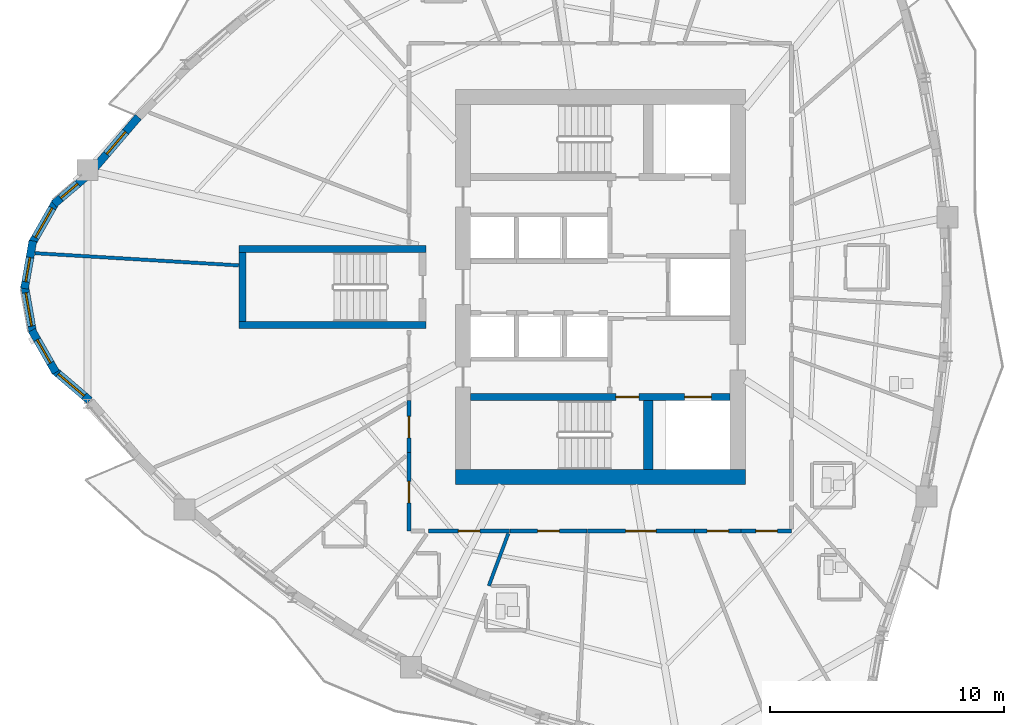
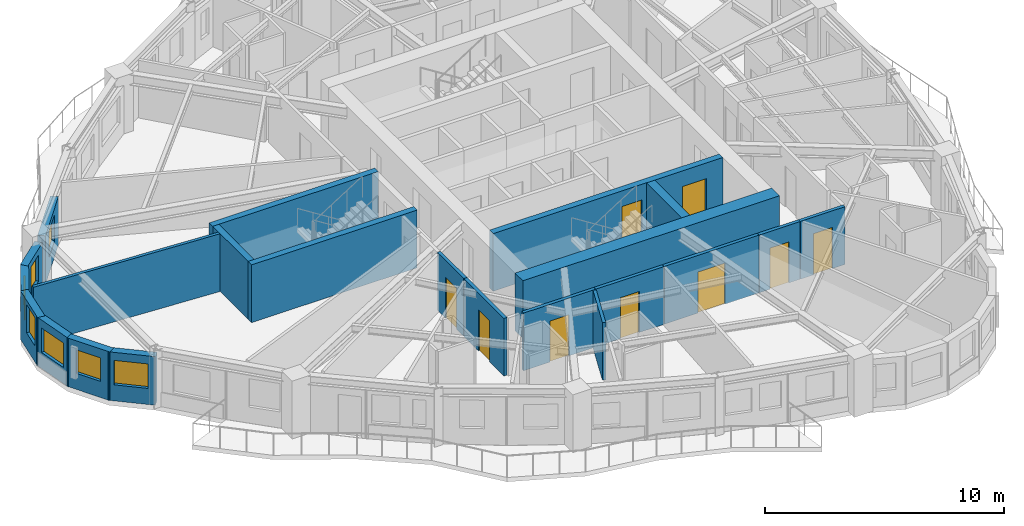
# One storey, part 4 of 13: 22 walls, 9 doors, 7 windows, 16 openings.
"""IFC4 building model written with IfcOpenShell, lengths in metres."""

from ifc_helpers import new_model, si_unit, direction, frame, frame_2d, origin, place, context, subcontext, project, spatial, rectangle, extrude, source, transform, mapped, material, layer, layer_set, type_object, element, fill, save


model = new_model("IFC4")

# Units and contexts
model_context = context("Model", 3, precision=1e-05, world=origin(), true_north=direction((0.0, 1.0)))
body_context = subcontext(model_context, "Body", "Model", "MODEL_VIEW")
ifc_project = project(units=[si_unit("LENGTHUNIT", "METRE"), si_unit("AREAUNIT", "SQUARE_METRE"), si_unit("VOLUMEUNIT", "CUBIC_METRE"), si_unit("PLANEANGLEUNIT", "RADIAN"), si_unit("MASSUNIT", "GRAM", prefix="KILO")], contexts=[model_context])

# Site, building, storey
site_placement = place(None, origin())
site = spatial("IfcSite", under=ifc_project, at=site_placement, CompositionType="ELEMENT")
building_placement = place(site_placement, origin())
building = spatial("IfcBuilding", under=site, at=building_placement, Name="Qafzar Sky-Pleat Residences", CompositionType="ELEMENT")
storey_placement = place(building_placement, frame((0.0, 0.0, 99.199951171875)))
storey = spatial("IfcBuildingStorey", under=building, at=storey_placement, Name="L29", CompositionType="ELEMENT", Elevation=99.199951171875)

# Wall, opening, door
ifc_material_1 = material(Name="Acoustic gypsum plasterboard partition", Category="gypsum")
ifc_layer_1 = layer(ifc_material_1, 0.159912109375)
ifc_layer_set_1 = layer_set([ifc_layer_1], Name="Acoustic gypsum plasterboard partition")
wall_type_1 = type_object("IfcWallType", Name="PART-COR-160", PredefinedType="PARTITIONING", material=ifc_layer_set_1)
wall_1_placement = place(storey_placement, frame((34.373046875, 15.570068359375, 0.0), z_axis=(0.0, 0.0, 1.0), x_axis=(-1.0, 0.0, 0.0)))
wall_1 = element("IfcWall", 1, at=wall_1_placement, inside=storey, type_object=wall_type_1, Name="L29 Partition Wall PART-L29-PW-004", PredefinedType="PARTITIONING", context=body_context, shape_type="SweptSolid", body=[
    extrude(rectangle(XDim=4.5771484375, YDim=0.159912109375, at=frame_2d((2.28857421875, 0.0))), origin(), (0.0, 0.0, 1.0), 2.949951171875),
])
opening_1_placement = place(wall_1_placement, frame((1.639404296875, 0.0, 0.0)))
opening_1 = element("IfcOpeningElement", 2, at=opening_1_placement, cuts=wall_1, Name="Opening ID-05", PredefinedType="OPENING", context=body_context, shape_type="SweptSolid", body=[
    extrude(rectangle(XDim=1.300048828125, YDim=2.10009765625, at=frame_2d((0.64990234375, 1.050048828125))), frame((0.0, 0.08984375, 0.0), z_axis=(0.0, -1.0, 0.0), x_axis=(1.0, 0.0, 0.0)), (0.0, 0.0, 1.0), 0.179931640625),
])
ifc_material_2 = material(Name="Timber-faced fire door", Category="wood")
door_type_1 = type_object("IfcDoorType", Name="DR-LNG-1300", OperationType="DOUBLE_DOOR_SINGLE_SWING", PredefinedType="DOOR", material=ifc_material_2)
shared_shape_1 = source(origin(), body_context, "Body", "SweptSolid", [
    extrude(rectangle(XDim=1.300048828125, YDim=2.10009765625, at=frame_2d((0.64990234375, 1.050048828125))), frame((0.0, 0.02490234375, 0.0), z_axis=(0.0, -1.0, 0.0), x_axis=(1.0, 0.0, 0.0)), (0.0, 0.0, 1.0), 0.050048828125),
])
door_1_placement = place(opening_1_placement, origin())
door_1 = element("IfcDoor", 3, at=door_1_placement, inside=storey, type_object=door_type_1, Name="L29 Co-Living Lounge Door", OperationType="DOUBLE_DOOR_SINGLE_SWING", OverallHeight=2.10009765625, OverallWidth=1.300048828125, PredefinedType="DOOR", context=body_context, shape_type="MappedRepresentation", body=[
    mapped(shared_shape_1, transform((0.0, 0.0, 0.0), x_axis=(1.0, 0.0, 0.0), y_axis=(0.0, 1.0, 0.0), z_axis=(0.0, 0.0, 1.0), scale=1.0)),
])
fill(opening_1, door_1)

wall_2_placement = place(storey_placement, frame((26.472900390625, 15.570068359375, 0.0), z_axis=(0.0, 0.0, 1.0), x_axis=(-1.0, 0.0, 0.0)))
wall_2 = element("IfcWall", 4, at=wall_2_placement, inside=storey, type_object=wall_type_1, Name="L29 Partition Wall PART-L29-PW-008", PredefinedType="PARTITIONING", context=body_context, shape_type="SweptSolid", body=[
    extrude(rectangle(XDim=3.469970703125, YDim=0.159912109375, at=frame_2d((1.73486328125, 0.0))), origin(), (0.0, 0.0, 1.0), 2.949951171875),
])
opening_2_placement = place(wall_2_placement, frame((1.27392578125, 0.0, 0.0)))
opening_2 = element("IfcOpeningElement", 5, at=opening_2_placement, cuts=wall_2, Name="Opening ID-04", PredefinedType="OPENING", context=body_context, shape_type="SweptSolid", body=[
    extrude(rectangle(XDim=0.919921875, YDim=2.10009765625, at=frame_2d((0.4599609375, 1.050048828125))), frame((0.0, 0.08984375, 0.0), z_axis=(0.0, -1.0, 0.0), x_axis=(1.0, 0.0, 0.0)), (0.0, 0.0, 1.0), 0.179931640625),
])
door_type_2 = type_object("IfcDoorType", Name="DR-BED-920", OperationType="NOTDEFINED", PredefinedType="DOOR", material=ifc_material_2)
shared_shape_2 = source(origin(), body_context, "Body", "SweptSolid", [
    extrude(rectangle(XDim=0.919921875, YDim=2.10009765625, at=frame_2d((0.4599609375, 1.050048828125))), frame((0.0, 0.02490234375, 0.0), z_axis=(0.0, -1.0, 0.0), x_axis=(1.0, 0.0, 0.0)), (0.0, 0.0, 1.0), 0.050048828125),
])
door_2_placement = place(opening_2_placement, origin())
door_2 = element("IfcDoor", 6, at=door_2_placement, inside=storey, type_object=door_type_2, Name="L29 Co-Living Bedroom 14 Door", OperationType="SINGLE_SWING_LEFT", OverallHeight=2.10009765625, OverallWidth=0.919921875, PredefinedType="DOOR", context=body_context, shape_type="MappedRepresentation", body=[
    mapped(shared_shape_2, transform((0.0, 0.0, 0.0), x_axis=(1.0, 0.0, 0.0), y_axis=(0.0, 1.0, 0.0), z_axis=(0.0, 0.0, 1.0), scale=1.0)),
])
fill(opening_2, door_2)

wall_3_placement = place(storey_placement, frame((22.169921875, 15.570068359375, 0.0), z_axis=(0.0, 0.0, 1.0), x_axis=(0.0, 1.0, 0.0)))
wall_3 = element("IfcWall", 7, at=wall_3_placement, inside=storey, type_object=wall_type_1, Name="L29 Partition Wall PART-L29-PW-009", PredefinedType="PARTITIONING", context=body_context, shape_type="SweptSolid", body=[
    extrude(rectangle(XDim=3.345947265625, YDim=0.159912109375, at=frame_2d((1.6728515625, 0.0))), origin(), (0.0, 0.0, 1.0), 2.949951171875),
])
opening_3_placement = place(wall_3_placement, frame((1.202880859375, 0.0, 0.0)))
opening_3 = element("IfcOpeningElement", 8, at=opening_3_placement, cuts=wall_3, Name="Opening ID-04", PredefinedType="OPENING", context=body_context, shape_type="SweptSolid", body=[
    extrude(rectangle(XDim=0.919921875, YDim=2.10009765625, at=frame_2d((0.4599609375, 1.050048828125))), frame((0.0, 0.08984375, 0.0), z_axis=(0.0, -1.0, 0.0), x_axis=(1.0, 0.0, 0.0)), (0.0, 0.0, 1.0), 0.179931640625),
])
door_3_placement = place(opening_3_placement, origin())
door_3 = element("IfcDoor", 9, at=door_3_placement, inside=storey, type_object=door_type_2, Name="L29 Co-Living Bedroom 13 Door", OperationType="SINGLE_SWING_RIGHT", OverallHeight=2.10009765625, OverallWidth=0.919921875, PredefinedType="DOOR", context=body_context, shape_type="MappedRepresentation", body=[
    mapped(shared_shape_2, transform((0.0, 0.0, 0.0), x_axis=(1.0, 0.0, 0.0), y_axis=(0.0, 1.0, 0.0), z_axis=(0.0, 0.0, 1.0), scale=1.0)),
])
fill(opening_3, door_3)

wall_4_placement = place(storey_placement, frame((29.781005859375, 15.570068359375, 0.0), z_axis=(0.0, 0.0, 1.0), x_axis=(-1.0, 0.0, 0.0)))
wall_4 = element("IfcWall", 10, at=wall_4_placement, inside=storey, type_object=wall_type_1, Name="L29 Partition Wall PART-L29-PW-010", PredefinedType="PARTITIONING", context=body_context, shape_type="SweptSolid", body=[
    extrude(rectangle(XDim=3.29296875, YDim=0.159912109375, at=frame_2d((1.646484375, 0.0))), origin(), (0.0, 0.0, 1.0), 2.949951171875),
])
opening_4_placement = place(wall_4_placement, frame((1.18701171875, 0.0, 0.0)))
opening_4 = element("IfcOpeningElement", 11, at=opening_4_placement, cuts=wall_4, Name="Opening ID-04", PredefinedType="OPENING", context=body_context, shape_type="SweptSolid", body=[
    extrude(rectangle(XDim=0.919921875, YDim=2.10009765625, at=frame_2d((0.4599609375, 1.050048828125))), frame((0.0, 0.08984375, 0.0), z_axis=(0.0, -1.0, 0.0), x_axis=(1.0, 0.0, 0.0)), (0.0, 0.0, 1.0), 0.179931640625),
])
door_4_placement = place(opening_4_placement, origin())
door_4 = element("IfcDoor", 12, at=door_4_placement, inside=storey, type_object=door_type_2, Name="L29 Co-Living Bedroom 1 Door", OperationType="SINGLE_SWING_LEFT", OverallHeight=2.10009765625, OverallWidth=0.919921875, PredefinedType="DOOR", context=body_context, shape_type="MappedRepresentation", body=[
    mapped(shared_shape_2, transform((0.0, 0.0, 0.0), x_axis=(1.0, 0.0, 0.0), y_axis=(0.0, 1.0, 0.0), z_axis=(0.0, 0.0, 1.0), scale=1.0)),
])
fill(opening_4, door_4)

wall_5_placement = place(storey_placement, frame((22.169921875, 18.930908203125, 0.0), z_axis=(0.0, 0.0, 1.0), x_axis=(0.0, 1.0, 0.0)))
wall_5 = element("IfcWall", 13, at=wall_5_placement, inside=storey, type_object=wall_type_1, Name="L29 Partition Wall PART-L29-PW-012", PredefinedType="PARTITIONING", context=body_context, shape_type="SweptSolid", body=[
    extrude(rectangle(XDim=2.210205078125, YDim=0.159912109375, at=frame_2d((1.10498046875, 0.0))), origin(), (0.0, 0.0, 1.0), 2.949951171875),
])
opening_5_placement = place(wall_5_placement, frame((0.618896484375, 0.0, 0.0)))
opening_5 = element("IfcOpeningElement", 14, at=opening_5_placement, cuts=wall_5, Name="Opening ID-04", PredefinedType="OPENING", context=body_context, shape_type="SweptSolid", body=[
    extrude(rectangle(XDim=0.919921875, YDim=2.10009765625, at=frame_2d((0.4599609375, 1.050048828125))), frame((0.0, 0.08984375, 0.0), z_axis=(0.0, -1.0, 0.0), x_axis=(1.0, 0.0, 0.0)), (0.0, 0.0, 1.0), 0.179931640625),
])
door_5_placement = place(opening_5_placement, origin())
door_5 = element("IfcDoor", 15, at=door_5_placement, inside=storey, type_object=door_type_2, Name="L29 Co-Living Bedroom 12 Door", OperationType="SINGLE_SWING_LEFT", OverallHeight=2.10009765625, OverallWidth=0.919921875, PredefinedType="DOOR", context=body_context, shape_type="MappedRepresentation", body=[
    mapped(shared_shape_2, transform((0.0, 0.0, 0.0), x_axis=(1.0, 0.0, 0.0), y_axis=(0.0, 1.0, 0.0), z_axis=(0.0, 0.0, 1.0), scale=1.0)),
])
fill(opening_5, door_5)

wall_6_placement = place(storey_placement, frame((38.530029296875, 15.570068359375, 0.0), z_axis=(0.0, 0.0, 1.0), x_axis=(-1.0, 0.0, 0.0)))
wall_6 = element("IfcWall", 16, at=wall_6_placement, inside=storey, type_object=wall_type_1, Name="L29 Partition Wall PART-L29-PW-013", PredefinedType="PARTITIONING", context=body_context, shape_type="SweptSolid", body=[
    extrude(rectangle(XDim=2.156005859375, YDim=0.159912109375, at=frame_2d((1.078125, 0.0))), origin(), (0.0, 0.0, 1.0), 2.949951171875),
])
opening_6_placement = place(wall_6_placement, frame((0.60888671875, 0.0, 0.0)))
opening_6 = element("IfcOpeningElement", 17, at=opening_6_placement, cuts=wall_6, Name="Opening ID-04", PredefinedType="OPENING", context=body_context, shape_type="SweptSolid", body=[
    extrude(rectangle(XDim=0.919921875, YDim=2.10009765625, at=frame_2d((0.4599609375, 1.050048828125))), frame((0.0, 0.08984375, 0.0), z_axis=(0.0, -1.0, 0.0), x_axis=(1.0, 0.0, 0.0)), (0.0, 0.0, 1.0), 0.179931640625),
])
door_6_placement = place(opening_6_placement, origin())
door_6 = element("IfcDoor", 18, at=door_6_placement, inside=storey, type_object=door_type_2, Name="L29 Co-Living Bedroom 3 Door", OperationType="SINGLE_SWING_RIGHT", OverallHeight=2.10009765625, OverallWidth=0.919921875, PredefinedType="DOOR", context=body_context, shape_type="MappedRepresentation", body=[
    mapped(shared_shape_2, transform((0.0, 0.0, 0.0), x_axis=(1.0, 0.0, 0.0), y_axis=(0.0, 1.0, 0.0), z_axis=(0.0, 0.0, 1.0), scale=1.0)),
])
fill(opening_6, door_6)

wall_7_placement = place(storey_placement, frame((36.35888671875, 15.570068359375, 0.0), z_axis=(0.0, 0.0, 1.0), x_axis=(-1.0, 0.0, 0.0)))
wall_7 = element("IfcWall", 19, at=wall_7_placement, inside=storey, type_object=wall_type_1, Name="L29 Partition Wall PART-L29-PW-015", PredefinedType="PARTITIONING", context=body_context, shape_type="SweptSolid", body=[
    extrude(rectangle(XDim=1.970947265625, YDim=0.159912109375, at=frame_2d((0.9853515625, 0.0))), origin(), (0.0, 0.0, 1.0), 2.949951171875),
])
opening_7_placement = place(wall_7_placement, frame((0.52490234375, 0.0, 0.0)))
opening_7 = element("IfcOpeningElement", 20, at=opening_7_placement, cuts=wall_7, Name="Opening ID-04", PredefinedType="OPENING", context=body_context, shape_type="SweptSolid", body=[
    extrude(rectangle(XDim=0.919921875, YDim=2.10009765625, at=frame_2d((0.4599609375, 1.050048828125))), frame((0.0, 0.08984375, 0.0), z_axis=(0.0, -1.0, 0.0), x_axis=(1.0, 0.0, 0.0)), (0.0, 0.0, 1.0), 0.179931640625),
])
door_7_placement = place(opening_7_placement, origin())
door_7 = element("IfcDoor", 21, at=door_7_placement, inside=storey, type_object=door_type_2, Name="L29 Co-Living Bedroom 2 Door", OperationType="SINGLE_SWING_RIGHT", OverallHeight=2.10009765625, OverallWidth=0.919921875, PredefinedType="DOOR", context=body_context, shape_type="MappedRepresentation", body=[
    mapped(shared_shape_2, transform((0.0, 0.0, 0.0), x_axis=(1.0, 0.0, 0.0), y_axis=(0.0, 1.0, 0.0), z_axis=(0.0, 0.0, 1.0), scale=1.0)),
])
fill(opening_7, door_7)

# Walls
ifc_layer_2 = layer(ifc_material_1, 0.14501953125)
ifc_layer_set_2 = layer_set([ifc_layer_2], Name="Acoustic gypsum plasterboard partition")
wall_type_2 = type_object("IfcWallType", Name="PART-UNIT-145", PredefinedType="PARTITIONING", material=ifc_layer_set_2)
wall_8_placement = place(storey_placement, frame((6.1796875, 27.447509765625, 0.0), z_axis=(0.0, 0.0, 1.0), x_axis=(0.998209995059, -0.059806402362, 0.0)))
element("IfcWall", 22, at=wall_8_placement, inside=storey, type_object=wall_type_2, Name="L29 Partition Wall PART-L29-PW-038", PredefinedType="PARTITIONING", context=body_context, shape_type="SweptSolid", body=[
    extrude(rectangle(XDim=8.7236328125, YDim=0.14501953125, at=frame_2d((4.36181640625, 0.0))), origin(), (0.0, 0.0, 1.0), 2.949951171875),
])
wall_9_placement = place(storey_placement, frame((25.5810546875, 13.222900390625, 0.0), z_axis=(0.0, 0.0, 1.0), x_axis=(0.349597225683, 0.936900090615, 0.0)))
element("IfcWall", 23, at=wall_9_placement, inside=storey, type_object=wall_type_2, Name="L29 Partition Wall PART-L29-PW-055", PredefinedType="PARTITIONING", context=body_context, shape_type="SweptSolid", body=[
    extrude(rectangle(XDim=2.384765625, YDim=0.14501953125, at=frame_2d((1.1923828125, 0.0))), origin(), (0.0, 0.0, 1.0), 2.949951171875),
])

# Wall, opening, window
ifc_material_3 = material(Name="Precast concrete C40/50 with honed Riyadh limestone", Category="concrete")
ifc_layer_3 = layer(ifc_material_3, 0.340087890625)
ifc_layer_set_3 = layer_set([ifc_layer_3], Name="Precast concrete C40/50 with honed Riyadh limestone")
wall_type_3 = type_object("IfcWallType", Name="WALL-EXT-340", PredefinedType="SOLIDWALL", material=ifc_layer_set_3)
wall_10_placement = place(storey_placement, frame((8.354736328125, 30.7177734375, 0.0), z_axis=(0.0, 0.0, 1.0), x_axis=(-0.761134405886, -0.648594184507, 0.0)))
wall_10 = element("IfcWall", 24, at=wall_10_placement, inside=storey, type_object=wall_type_3, Name="L29 Limestone Facade Wall 1", PredefinedType="SOLIDWALL", context=body_context, shape_type="SweptSolid", body=[
    extrude(rectangle(XDim=1.804931640625, YDim=0.340087890625, at=frame_2d((0.90234375, 0.0))), origin(), (0.0, 0.0, 1.0), 2.47998046875),
])
opening_8_placement = place(wall_10_placement, frame((0.46240234375, 0.0, 0.820068359375)))
opening_8 = element("IfcOpeningElement", 25, at=opening_8_placement, cuts=wall_10, Name="Opening WN-12", PredefinedType="OPENING", context=body_context, shape_type="SweptSolid", body=[
    extrude(rectangle(XDim=0.949951171875, YDim=1.35009765625, at=frame_2d((0.47509765625, 0.675048828125))), frame((0.0, 0.18017578125, 0.0), z_axis=(0.0, -1.0, 0.0), x_axis=(1.0, 0.0, 0.0)), (0.0, 0.0, 1.0), 0.360107421875),
])
ifc_material_4 = material(Name="Solar-control low-E glass in bronze aluminium frame", Category="glass")
window_type_1 = type_object("IfcWindowType", Name="WIN-12", PartitioningType="SINGLE_PANEL", PredefinedType="WINDOW", material=ifc_material_4)
shared_shape_3 = source(origin(), body_context, "Body", "SweptSolid", [
    extrude(rectangle(XDim=0.949951171875, YDim=1.35009765625, at=frame_2d((0.47509765625, 0.675048828125))), frame((0.0, 0.030029296875, 0.0), z_axis=(0.0, -1.0, 0.0), x_axis=(1.0, 0.0, 0.0)), (0.0, 0.0, 1.0), 0.06005859375),
])
window_1_placement = place(opening_8_placement, origin())
window_1 = element("IfcWindow", 26, at=window_1_placement, inside=storey, type_object=window_type_1, Name="L29 Punched Facade Window 01", OverallHeight=1.35009765625, OverallWidth=0.949951171875, PartitioningType="SINGLE_PANEL", PredefinedType="WINDOW", context=body_context, shape_type="MappedRepresentation", body=[
    mapped(shared_shape_3, transform((0.0, 0.0, 0.0), x_axis=(1.0, 0.0, 0.0), y_axis=(0.0, 1.0, 0.0), z_axis=(0.0, 0.0, 1.0), scale=1.0)),
])
fill(opening_8, window_1)

wall_11_placement = place(storey_placement, frame((7.066162109375, 29.64990234375, 0.0), z_axis=(0.0, 0.0, 1.0), x_axis=(-0.496037473582, -0.868301114132, 0.0)))
wall_11 = element("IfcWall", 27, at=wall_11_placement, inside=storey, type_object=wall_type_3, Name="L29 Limestone Facade Wall 2", PredefinedType="SOLIDWALL", context=body_context, shape_type="SweptSolid", body=[
    extrude(rectangle(XDim=2.072998046875, YDim=0.340087890625, at=frame_2d((1.03662109375, 0.0))), origin(), (0.0, 0.0, 1.0), 2.47998046875),
])
opening_9_placement = place(wall_11_placement, frame((0.3115234375, 0.0, 0.820068359375)))
opening_9 = element("IfcOpeningElement", 28, at=opening_9_placement, cuts=wall_11, Name="Opening WN-15", PredefinedType="OPENING", context=body_context, shape_type="SweptSolid", body=[
    extrude(rectangle(XDim=1.449951171875, YDim=1.25, at=frame_2d((0.72509765625, 0.625))), frame((0.0, 0.18017578125, 0.0), z_axis=(0.0, -1.0, 0.0), x_axis=(1.0, 0.0, 0.0)), (0.0, 0.0, 1.0), 0.360107421875),
])
window_type_2 = type_object("IfcWindowType", Name="WIN-15", PartitioningType="SINGLE_PANEL", PredefinedType="WINDOW", material=ifc_material_4)
shared_shape_4 = source(origin(), body_context, "Body", "SweptSolid", [
    extrude(rectangle(XDim=1.449951171875, YDim=1.25, at=frame_2d((0.72509765625, 0.625))), frame((0.0, 0.030029296875, 0.0), z_axis=(0.0, -1.0, 0.0), x_axis=(1.0, 0.0, 0.0)), (0.0, 0.0, 1.0), 0.06005859375),
])
window_2_placement = place(opening_9_placement, origin())
window_2 = element("IfcWindow", 29, at=window_2_placement, inside=storey, type_object=window_type_2, Name="L29 Punched Facade Window 02", OverallHeight=1.25, OverallWidth=1.449951171875, PartitioningType="SINGLE_PANEL", PredefinedType="WINDOW", context=body_context, shape_type="MappedRepresentation", body=[
    mapped(shared_shape_4, transform((0.0, 0.0, 0.0), x_axis=(1.0, 0.0, 0.0), y_axis=(0.0, 1.0, 0.0), z_axis=(0.0, 0.0, 1.0), scale=1.0)),
])
fill(opening_9, window_2)

wall_12_placement = place(storey_placement, frame((6.0830078125, 27.975341796875, 0.0), z_axis=(0.0, 0.0, 1.0), x_axis=(-0.172186061474, -0.985064444711, 0.0)))
wall_12 = element("IfcWall", 30, at=wall_12_placement, inside=storey, type_object=wall_type_3, Name="L29 Limestone Facade Wall 3", PredefinedType="SOLIDWALL", context=body_context, shape_type="SweptSolid", body=[
    extrude(rectangle(XDim=2.072998046875, YDim=0.340087890625, at=frame_2d((1.03662109375, 0.0))), origin(), (0.0, 0.0, 1.0), 2.47998046875),
])
opening_10_placement = place(wall_12_placement, frame((0.724609375, 0.0, 0.820068359375)))
opening_10 = element("IfcOpeningElement", 31, at=opening_10_placement, cuts=wall_12, Name="Opening WN-06", PredefinedType="OPENING", context=body_context, shape_type="SweptSolid", body=[
    extrude(rectangle(XDim=1.050048828125, YDim=1.449951171875, at=frame_2d((0.52490234375, 0.72509765625))), frame((0.0, 0.18017578125, 0.0), z_axis=(0.0, -1.0, 0.0), x_axis=(1.0, 0.0, 0.0)), (0.0, 0.0, 1.0), 0.360107421875),
])
window_type_3 = type_object("IfcWindowType", Name="WIN-06", PartitioningType="SINGLE_PANEL", PredefinedType="WINDOW", material=ifc_material_4)
shared_shape_5 = source(origin(), body_context, "Body", "SweptSolid", [
    extrude(rectangle(XDim=1.050048828125, YDim=1.449951171875, at=frame_2d((0.52490234375, 0.72509765625))), frame((0.0, 0.030029296875, 0.0), z_axis=(0.0, -1.0, 0.0), x_axis=(1.0, 0.0, 0.0)), (0.0, 0.0, 1.0), 0.06005859375),
])
window_3_placement = place(opening_10_placement, origin())
window_3 = element("IfcWindow", 32, at=window_3_placement, inside=storey, type_object=window_type_3, Name="L29 Punched Facade Window 03-2", OverallHeight=1.449951171875, OverallWidth=1.050048828125, PartitioningType="SINGLE_PANEL", PredefinedType="WINDOW", context=body_context, shape_type="MappedRepresentation", body=[
    mapped(shared_shape_5, transform((0.0, 0.0, 0.0), x_axis=(1.0, 0.0, 0.0), y_axis=(0.0, 1.0, 0.0), z_axis=(0.0, 0.0, 1.0), scale=1.0)),
])
fill(opening_10, window_3)

wall_13_placement = place(storey_placement, frame((5.72607421875, 26.066650390625, 0.0), z_axis=(0.0, 0.0, 1.0), x_axis=(0.172186061474, -0.985064444711, 0.0)))
wall_13 = element("IfcWall", 33, at=wall_13_placement, inside=storey, type_object=wall_type_3, Name="L29 Limestone Facade Wall 4", PredefinedType="SOLIDWALL", context=body_context, shape_type="SweptSolid", body=[
    extrude(rectangle(XDim=2.072998046875, YDim=0.340087890625, at=frame_2d((1.03662109375, 0.0))), origin(), (0.0, 0.0, 1.0), 2.47998046875),
])
opening_11_placement = place(wall_13_placement, frame((0.3115234375, 0.0, 0.820068359375)))
opening_11 = element("IfcOpeningElement", 34, at=opening_11_placement, cuts=wall_13, Name="Opening WN-15", PredefinedType="OPENING", context=body_context, shape_type="SweptSolid", body=[
    extrude(rectangle(XDim=1.449951171875, YDim=1.25, at=frame_2d((0.72509765625, 0.625))), frame((0.0, 0.18017578125, 0.0), z_axis=(0.0, -1.0, 0.0), x_axis=(1.0, 0.0, 0.0)), (0.0, 0.0, 1.0), 0.360107421875),
])
window_4_placement = place(opening_11_placement, origin())
window_4 = element("IfcWindow", 35, at=window_4_placement, inside=storey, type_object=window_type_2, Name="L29 Punched Facade Window 04", OverallHeight=1.25, OverallWidth=1.449951171875, PartitioningType="SINGLE_PANEL", PredefinedType="WINDOW", context=body_context, shape_type="MappedRepresentation", body=[
    mapped(shared_shape_4, transform((0.0, 0.0, 0.0), x_axis=(1.0, 0.0, 0.0), y_axis=(0.0, 1.0, 0.0), z_axis=(0.0, 0.0, 1.0), scale=1.0)),
])
fill(opening_11, window_4)

wall_14_placement = place(storey_placement, frame((6.037841796875, 24.150146484375, 0.0), z_axis=(0.0, 0.0, 1.0), x_axis=(0.496037473582, -0.868301114132, 0.0)))
wall_14 = element("IfcWall", 36, at=wall_14_placement, inside=storey, type_object=wall_type_3, Name="L29 Limestone Facade Wall 5", PredefinedType="SOLIDWALL", context=body_context, shape_type="SweptSolid", body=[
    extrude(rectangle(XDim=2.072998046875, YDim=0.340087890625, at=frame_2d((1.03662109375, 0.0))), origin(), (0.0, 0.0, 1.0), 2.47998046875),
])
opening_12_placement = place(wall_14_placement, frame((0.46142578125, 0.0, 0.820068359375)))
opening_12 = element("IfcOpeningElement", 37, at=opening_12_placement, cuts=wall_14, Name="Opening WN-16", PredefinedType="OPENING", context=body_context, shape_type="SweptSolid", body=[
    extrude(rectangle(XDim=1.14990234375, YDim=1.199951171875, at=frame_2d((0.574951171875, 0.60009765625))), frame((0.0, 0.18017578125, 0.0), z_axis=(0.0, -1.0, 0.0), x_axis=(1.0, 0.0, 0.0)), (0.0, 0.0, 1.0), 0.360107421875),
])
window_type_4 = type_object("IfcWindowType", Name="WIN-16", PartitioningType="SINGLE_PANEL", PredefinedType="WINDOW", material=ifc_material_4)
shared_shape_6 = source(origin(), body_context, "Body", "SweptSolid", [
    extrude(rectangle(XDim=1.14990234375, YDim=1.199951171875, at=frame_2d((0.574951171875, 0.60009765625))), frame((0.0, 0.030029296875, 0.0), z_axis=(0.0, -1.0, 0.0), x_axis=(1.0, 0.0, 0.0)), (0.0, 0.0, 1.0), 0.06005859375),
])
window_5_placement = place(opening_12_placement, origin())
window_5 = element("IfcWindow", 38, at=window_5_placement, inside=storey, type_object=window_type_4, Name="L29 Punched Facade Window 05", OverallHeight=1.199951171875, OverallWidth=1.14990234375, PartitioningType="SINGLE_PANEL", PredefinedType="WINDOW", context=body_context, shape_type="MappedRepresentation", body=[
    mapped(shared_shape_6, transform((0.0, 0.0, 0.0), x_axis=(1.0, 0.0, 0.0), y_axis=(0.0, 1.0, 0.0), z_axis=(0.0, 0.0, 1.0), scale=1.0)),
])
fill(opening_12, window_5)

wall_15_placement = place(storey_placement, frame((6.98095703125, 22.452880859375, 0.0), z_axis=(0.0, 0.0, 1.0), x_axis=(0.761092561451, -0.648643286332, 0.0)))
wall_15 = element("IfcWall", 39, at=wall_15_placement, inside=storey, type_object=wall_type_3, Name="L29 Limestone Facade Wall 6", PredefinedType="SOLIDWALL", context=body_context, shape_type="SweptSolid", body=[
    extrude(rectangle(XDim=2.014892578125, YDim=0.340087890625, at=frame_2d((1.00732421875, 0.0))), origin(), (0.0, 0.0, 1.0), 2.47998046875),
])
opening_13_placement = place(wall_15_placement, frame((0.25244140625, 0.0, 0.820068359375)))
opening_13 = element("IfcOpeningElement", 40, at=opening_13_placement, cuts=wall_15, Name="Opening WN-15", PredefinedType="OPENING", context=body_context, shape_type="SweptSolid", body=[
    extrude(rectangle(XDim=1.449951171875, YDim=1.25, at=frame_2d((0.72509765625, 0.625))), frame((0.0, 0.18017578125, 0.0), z_axis=(0.0, -1.0, 0.0), x_axis=(1.0, 0.0, 0.0)), (0.0, 0.0, 1.0), 0.360107421875),
])
window_6_placement = place(opening_13_placement, origin())
window_6 = element("IfcWindow", 41, at=window_6_placement, inside=storey, type_object=window_type_2, Name="L29 Punched Facade Window 06", OverallHeight=1.25, OverallWidth=1.449951171875, PartitioningType="SINGLE_PANEL", PredefinedType="WINDOW", context=body_context, shape_type="MappedRepresentation", body=[
    mapped(shared_shape_4, transform((0.0, 0.0, 0.0), x_axis=(1.0, 0.0, 0.0), y_axis=(0.0, 1.0, 0.0), z_axis=(0.0, 0.0, 1.0), scale=1.0)),
])
fill(opening_13, window_6)

wall_16_placement = place(storey_placement, frame((10.59423828125, 33.2724609375, 0.0), z_axis=(0.0, 0.0, 1.0), x_axis=(-0.650763769467, -0.759280262057, 0.0)))
wall_16 = element("IfcWall", 42, at=wall_16_placement, inside=storey, type_object=wall_type_3, Name="L29 Limestone Facade Wall 48", PredefinedType="SOLIDWALL", context=body_context, shape_type="SweptSolid", body=[
    extrude(rectangle(XDim=2.91357421875, YDim=0.340087890625, at=frame_2d((1.456787109375, 0.0))), origin(), (0.0, 0.0, 1.0), 2.47998046875),
])
opening_14_placement = place(wall_16_placement, frame((0.8369140625, 0.0, 0.820068359375)))
opening_14 = element("IfcOpeningElement", 43, at=opening_14_placement, cuts=wall_16, Name="Opening WN-11", PredefinedType="OPENING", context=body_context, shape_type="SweptSolid", body=[
    extrude(rectangle(XDim=1.25, YDim=1.35009765625, at=frame_2d((0.625, 0.675048828125))), frame((0.0, 0.18017578125, 0.0), z_axis=(0.0, -1.0, 0.0), x_axis=(1.0, 0.0, 0.0)), (0.0, 0.0, 1.0), 0.360107421875),
])
window_type_5 = type_object("IfcWindowType", Name="WIN-11", PartitioningType="SINGLE_PANEL", PredefinedType="WINDOW", material=ifc_material_4)
shared_shape_7 = source(origin(), body_context, "Body", "SweptSolid", [
    extrude(rectangle(XDim=1.25, YDim=1.35009765625, at=frame_2d((0.625, 0.675048828125))), frame((0.0, 0.030029296875, 0.0), z_axis=(0.0, -1.0, 0.0), x_axis=(1.0, 0.0, 0.0)), (0.0, 0.0, 1.0), 0.06005859375),
])
window_7_placement = place(opening_14_placement, origin())
window_7 = element("IfcWindow", 44, at=window_7_placement, inside=storey, type_object=window_type_5, Name="L29 Punched Facade Window 48", OverallHeight=1.35009765625, OverallWidth=1.25, PartitioningType="SINGLE_PANEL", PredefinedType="WINDOW", context=body_context, shape_type="MappedRepresentation", body=[
    mapped(shared_shape_7, transform((0.0, 0.0, 0.0), x_axis=(1.0, 0.0, 0.0), y_axis=(0.0, 1.0, 0.0), z_axis=(0.0, 0.0, 1.0), scale=1.0)),
])
fill(opening_14, window_7)

# Wall, openings, doors
ifc_material_5 = material(Name="Concrete C60/75", Category="concrete")
ifc_layer_4 = layer(ifc_material_5, 0.300048828125)
ifc_layer_set_4 = layer_set([ifc_layer_4], Name="Concrete C60/75")
wall_type_4 = type_object("IfcWallType", Name="WALL-SHEAR-300", PredefinedType="SHEAR", material=ifc_layer_set_4)
wall_17_placement = place(storey_placement, frame((24.800048828125, 21.300048828125, 0.0), z_axis=(0.0, 0.0, 1.0), x_axis=(1.0, 0.0, 0.0)))
wall_17 = element("IfcWall", 45, at=wall_17_placement, inside=storey, type_object=wall_type_4, Name="L29 Stair ST1 and FF1 Shaft North Wall", PredefinedType="SHEAR", context=body_context, shape_type="SweptSolid", body=[
    extrude(rectangle(XDim=11.099853515625, YDim=0.300048828125, at=frame_2d((5.5498046875, 0.0))), origin(), (0.0, 0.0, 1.0), 2.949951171875),
])
opening_15_placement = place(wall_17_placement, frame((6.219970703125, 0.0, 0.0)))
opening_15 = element("IfcOpeningElement", 46, at=opening_15_placement, cuts=wall_17, Name="Opening ID-01", PredefinedType="OPENING", context=body_context, shape_type="SweptSolid", body=[
    extrude(rectangle(XDim=0.97998046875, YDim=2.14990234375, at=frame_2d((0.489990234375, 1.074951171875))), frame((0.0, 0.16015625, 0.0), z_axis=(0.0, -1.0, 0.0), x_axis=(1.0, 0.0, 0.0)), (0.0, 0.0, 1.0), 0.320068359375),
])
opening_16_placement = place(wall_17_placement, frame((9.14990234375, 0.0, 0.0)))
opening_16 = element("IfcOpeningElement", 47, at=opening_16_placement, cuts=wall_17, Name="Opening LD-02", PredefinedType="OPENING", context=body_context, shape_type="SweptSolid", body=[
    extrude(rectangle(XDim=1.14990234375, YDim=2.14990234375, at=frame_2d((0.574951171875, 1.074951171875))), frame((0.0, 0.16015625, 0.0), z_axis=(0.0, -1.0, 0.0), x_axis=(1.0, 0.0, 0.0)), (0.0, 0.0, 1.0), 0.320068359375),
])
door_type_3 = type_object("IfcDoorType", Name="DR-STAIR-980", OperationType="NOTDEFINED", PredefinedType="DOOR", material=ifc_material_2)
shared_shape_8 = source(origin(), body_context, "Body", "SweptSolid", [
    extrude(rectangle(XDim=0.97998046875, YDim=2.14990234375, at=frame_2d((0.489990234375, 1.074951171875))), frame((0.0, 0.02490234375, 0.0), z_axis=(0.0, -1.0, 0.0), x_axis=(1.0, 0.0, 0.0)), (0.0, 0.0, 1.0), 0.050048828125),
])
door_8_placement = place(opening_15_placement, origin())
door_8 = element("IfcDoor", 48, at=door_8_placement, inside=storey, type_object=door_type_3, Name="L29 Stair ST1 Fire Door", OperationType="SINGLE_SWING_LEFT", OverallHeight=2.14990234375, OverallWidth=0.97998046875, PredefinedType="DOOR", context=body_context, shape_type="MappedRepresentation", body=[
    mapped(shared_shape_8, transform((0.0, 0.0, 0.0), x_axis=(1.0, 0.0, 0.0), y_axis=(0.0, 1.0, 0.0), z_axis=(0.0, 0.0, 1.0), scale=1.0)),
])
fill(opening_15, door_8)
ifc_material_6 = material(Name="Stainless steel sliding landing door", Category="steel")
door_type_4 = type_object("IfcDoorType", Name="DR-LIFT-FF", OperationType="DOUBLE_DOOR_SLIDING", PredefinedType="DOOR", material=ifc_material_6)
shared_shape_9 = source(origin(), body_context, "Body", "SweptSolid", [
    extrude(rectangle(XDim=1.14990234375, YDim=2.14990234375, at=frame_2d((0.574951171875, 1.074951171875))), frame((0.0, 0.02490234375, 0.0), z_axis=(0.0, -1.0, 0.0), x_axis=(1.0, 0.0, 0.0)), (0.0, 0.0, 1.0), 0.050048828125),
])
door_9_placement = place(opening_16_placement, origin())
door_9 = element("IfcDoor", 49, at=door_9_placement, inside=storey, type_object=door_type_4, Name="L29 Firefighting Lift FF1 Landing Door", OperationType="DOUBLE_DOOR_SLIDING", OverallHeight=2.14990234375, OverallWidth=1.14990234375, PredefinedType="DOOR", context=body_context, shape_type="MappedRepresentation", body=[
    mapped(shared_shape_9, transform((0.0, 0.0, 0.0), x_axis=(1.0, 0.0, 0.0), y_axis=(0.0, 1.0, 0.0), z_axis=(0.0, 0.0, 1.0), scale=1.0)),
])
fill(opening_16, door_9)

# Walls
for number, where, z_axis, x_axis, name in (
    (50, (14.89990234375, 24.375, 0.0), (0.0, 0.0, 1.0), (1.0, 0.0, 0.0), "L29 ST3 wall S"),
    (51, (22.89990234375, 27.625, 0.0), (0.0, 0.0, 1.0), (-1.0, 0.0, 0.0), "L29 ST3 wall N"),
):
    element("IfcWall", number, at=place(storey_placement, frame(where, z_axis=z_axis, x_axis=x_axis)), inside=storey, type_object=wall_type_4, Name=name, PredefinedType="SHEAR", context=body_context, shape_type="SweptSolid", body=[
        extrude(rectangle(XDim=8.0, YDim=0.300048828125, at=frame_2d((4.0, 0.0))), origin(), (0.0, 0.0, 1.0), 2.949951171875),
    ])
wall_18_placement = place(storey_placement, frame((15.050048828125, 27.47509765625, 0.0), z_axis=(0.0, 0.0, 1.0), x_axis=(0.0, -1.0, 0.0)))
element("IfcWall", 52, at=wall_18_placement, inside=storey, type_object=wall_type_4, Name="L29 ST3 wall W", PredefinedType="SHEAR", context=body_context, shape_type="SweptSolid", body=[
    extrude(rectangle(XDim=2.9501953125, YDim=0.300048828125, at=frame_2d((1.47509765625, 0.0))), origin(), (0.0, 0.0, 1.0), 2.949951171875),
])
ifc_layer_5 = layer(ifc_material_5, 0.39990234375)
ifc_layer_set_5 = layer_set([ifc_layer_5], Name="Concrete C60/75")
wall_type_5 = type_object("IfcWallType", Name="WALL-SHEAR-400", PredefinedType="SHEAR", material=ifc_layer_set_5)
wall_19_placement = place(storey_placement, frame((32.39990234375, 18.199951171875, 0.0), z_axis=(0.0, 0.0, 1.0), x_axis=(0.0, 1.0, 0.0)))
element("IfcWall", 53, at=wall_19_placement, inside=storey, type_object=wall_type_5, Name="L29 Stair ST1 East Dividing Wall", PredefinedType="SHEAR", context=body_context, shape_type="SweptSolid", body=[
    extrude(rectangle(XDim=2.949951171875, YDim=0.39990234375, at=frame_2d((1.47509765625, 0.0))), origin(), (0.0, 0.0, 1.0), 2.949951171875),
])
ifc_layer_6 = layer(ifc_material_5, 0.64990234375)
ifc_layer_set_6 = layer_set([ifc_layer_6], Name="Concrete C60/75")
wall_type_6 = type_object("IfcWallType", Name="WALL-SHEAR-650", PredefinedType="SHEAR", material=ifc_layer_set_6)
wall_20_placement = place(storey_placement, frame((24.14990234375, 17.875, 0.0), z_axis=(0.0, 0.0, 1.0), x_axis=(1.0, 0.0, 0.0)))
element("IfcWall", 54, at=wall_20_placement, inside=storey, type_object=wall_type_6, Name="L29 CORE wall S", PredefinedType="SHEAR", context=body_context, shape_type="SweptSolid", body=[
    extrude(rectangle(XDim=12.400146484375, YDim=0.64990234375, at=frame_2d((6.2001953125, 0.0))), origin(), (0.0, 0.0, 1.0), 2.949951171875),
])

save(model, "model.ifc")
